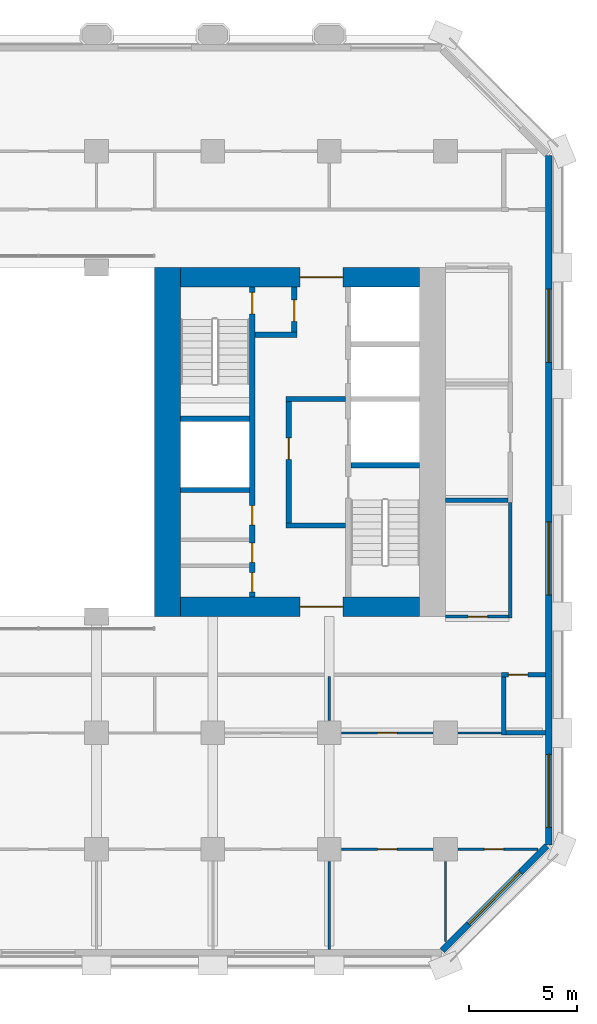
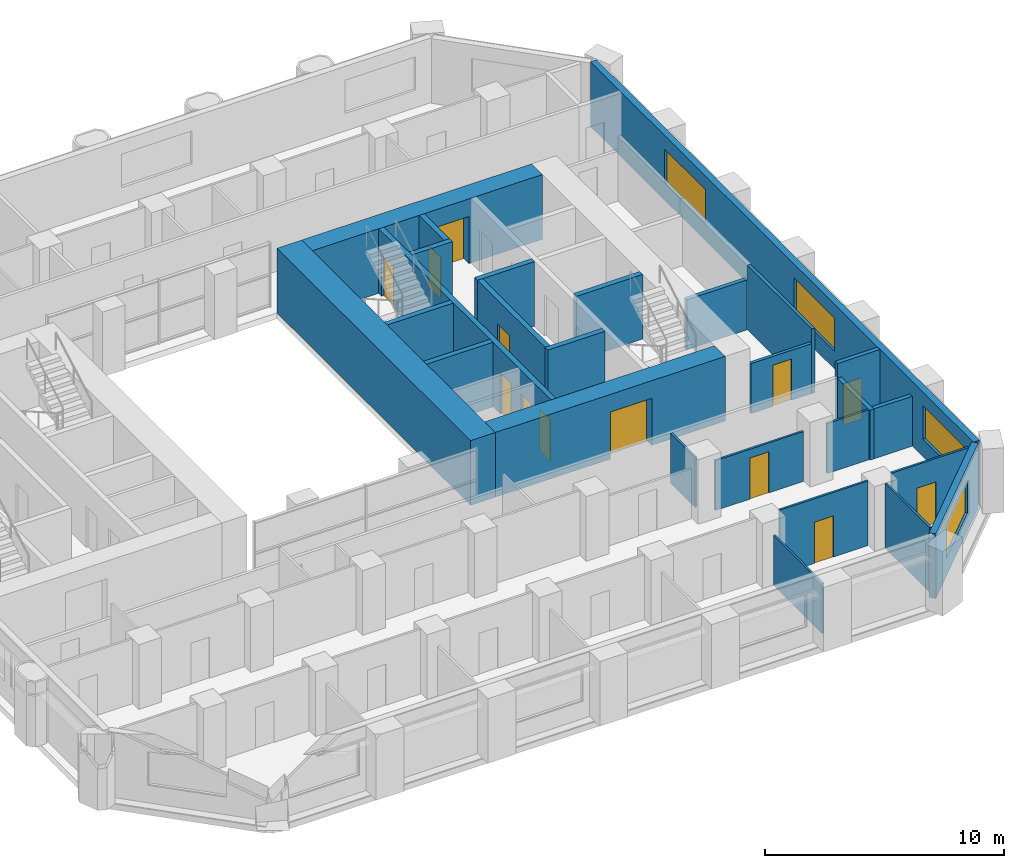
# One storey, part 9 of 13: 27 walls, 13 doors, 4 windows, 17 openings.
"""IFC4 building model written with IfcOpenShell, lengths in metres."""

from ifc_helpers import new_model, si_unit, direction, frame, frame_2d, origin, place, context, subcontext, project, spatial, rectangle, extrude, material, layer, layer_set, type_object, element, fill, save


model = new_model("IFC4")

# Units and contexts
model_context = context("Model", 3, precision=1e-05, world=origin(), true_north=direction((0.0, 1.0)))
body_context = subcontext(model_context, "Body", "Model", "MODEL_VIEW")
ifc_project = project(units=[si_unit("LENGTHUNIT", "METRE"), si_unit("AREAUNIT", "SQUARE_METRE"), si_unit("VOLUMEUNIT", "CUBIC_METRE"), si_unit("PLANEANGLEUNIT", "RADIAN"), si_unit("MASSUNIT", "GRAM", prefix="KILO")], contexts=[model_context])

# Site, building, storey
site_placement = place(None, origin())
site = spatial("IfcSite", under=ifc_project, at=site_placement, CompositionType="ELEMENT")
building_placement = place(site_placement, origin())
building = spatial("IfcBuilding", under=site, at=building_placement, Name="Tabaq Tower and Sports Hall", CompositionType="ELEMENT")
storey_placement = place(building_placement, frame((0.0, 0.0, 56.39990234375)))
storey = spatial("IfcBuildingStorey", under=building, at=storey_placement, Name="L12", CompositionType="ELEMENT", Elevation=56.39990234375)

# Wall
ifc_material_1 = material(Name="Concrete C60/75", Category="concrete")
ifc_layer_1 = layer(ifc_material_1, 1.199951171875)
ifc_layer_set_1 = layer_set([ifc_layer_1], Name="Core wall 1200 Concrete C60/75")
wall_type_1 = type_object("IfcWallType", Name="Core wall 1200 Concrete C60/75", PredefinedType="SOLIDWALL", material=ifc_layer_set_1)
wall_1_placement = place(storey_placement, frame((30.300048828125, 16.199951171875, 0.0), z_axis=(0.0, 0.0, 1.0), x_axis=(0.0, 1.0, 0.0)))
element("IfcWall", 1, at=wall_1_placement, inside=storey, type_object=wall_type_1, Name="Core wall E L12", PredefinedType="SOLIDWALL", context=body_context, shape_type="SweptSolid", body=[
    extrude(rectangle(XDim=16.199951171875, YDim=1.199951171875, at=frame_2d((8.10009765625, 0.0))), origin(), (0.0, 0.0, 1.0), 3.300048828125),
])

# Wall, opening, door
ifc_material_2 = material(Name="Concrete C60/75", Category="concrete")
ifc_layer_2 = layer(ifc_material_2, 0.89990234375)
ifc_layer_set_2 = layer_set([ifc_layer_2], Name="Core wall 900 Concrete C60/75")
wall_type_2 = type_object("IfcWallType", Name="Core wall 900 Concrete C60/75", PredefinedType="SOLIDWALL", material=ifc_layer_set_2)
wall_2_placement = place(storey_placement, frame((42.0, 16.64990234375, 0.0), z_axis=(0.0, 0.0, 1.0), x_axis=(-1.0, 0.0, 0.0)))
wall_2 = element("IfcWall", 2, at=wall_2_placement, inside=storey, type_object=wall_type_2, Name="Core wall E L12", PredefinedType="SOLIDWALL", context=body_context, shape_type="SweptSolid", body=[
    extrude(rectangle(XDim=11.10009765625, YDim=0.89990234375, at=frame_2d((5.550048828125, 0.0))), origin(), (0.0, 0.0, 1.0), 3.300048828125),
])
opening_1_placement = place(wall_2_placement, frame((3.550048828125, 0.0, 0.0)))
opening_1 = element("IfcOpeningElement", 3, at=opening_1_placement, cuts=wall_2, Name="Opening PD-EL12-01", PredefinedType="OPENING", context=body_context, shape_type="SweptSolid", body=[
    extrude(rectangle(XDim=2.0, YDim=2.39990234375, at=frame_2d((1.0, 1.199951171875))), frame((0.0, 0.449951171875, 0.0), z_axis=(0.0, -1.0, 0.0), x_axis=(1.0, 0.0, 0.0)), (0.0, 0.0, 1.0), 0.89990234375),
])
ifc_material_3 = material(Name="Steel fire door", Category="steel")
door_type_1 = type_object("IfcDoorType", Name="Core entrance door 2000", OperationType="DOUBLE_DOOR_SINGLE_SWING", PredefinedType="DOOR", material=ifc_material_3)
door_1_placement = place(opening_1_placement, origin())
door_1 = element("IfcDoor", 4, at=door_1_placement, inside=storey, type_object=door_type_1, Name="Core entrance south E L12", OperationType="DOUBLE_DOOR_SINGLE_SWING", OverallHeight=2.39990234375, OverallWidth=2.0, PredefinedType="DOOR", context=body_context, shape_type="SweptSolid", body=[
    extrude(rectangle(XDim=2.0, YDim=2.39990234375, at=frame_2d((1.0, 1.199951171875))), frame((0.0, 0.02490234375, 0.0), z_axis=(0.0, -1.0, 0.0), x_axis=(1.0, 0.0, 0.0)), (0.0, 0.0, 1.0), 0.050048828125),
])
fill(opening_1, door_1)

wall_3_placement = place(storey_placement, frame((30.89990234375, 31.949951171875, 0.0), z_axis=(0.0, 0.0, 1.0), x_axis=(1.0, 0.0, 0.0)))
wall_3 = element("IfcWall", 5, at=wall_3_placement, inside=storey, type_object=wall_type_2, Name="Core wall E L12", PredefinedType="SOLIDWALL", context=body_context, shape_type="SweptSolid", body=[
    extrude(rectangle(XDim=11.10009765625, YDim=0.89990234375, at=frame_2d((5.550048828125, 0.0))), origin(), (0.0, 0.0, 1.0), 3.300048828125),
])
opening_2_placement = place(wall_3_placement, frame((5.550048828125, 0.0, 0.0)))
opening_2 = element("IfcOpeningElement", 6, at=opening_2_placement, cuts=wall_3, Name="Opening PD-EL12-02", PredefinedType="OPENING", context=body_context, shape_type="SweptSolid", body=[
    extrude(rectangle(XDim=2.0, YDim=2.39990234375, at=frame_2d((1.0, 1.199951171875))), frame((0.0, 0.449951171875, 0.0), z_axis=(0.0, -1.0, 0.0), x_axis=(1.0, 0.0, 0.0)), (0.0, 0.0, 1.0), 0.89990234375),
])
door_2_placement = place(opening_2_placement, origin())
door_2 = element("IfcDoor", 7, at=door_2_placement, inside=storey, type_object=door_type_1, Name="Core entrance north E L12", OperationType="DOUBLE_DOOR_SINGLE_SWING", OverallHeight=2.39990234375, OverallWidth=2.0, PredefinedType="DOOR", context=body_context, shape_type="SweptSolid", body=[
    extrude(rectangle(XDim=2.0, YDim=2.39990234375, at=frame_2d((1.0, 1.199951171875))), frame((0.0, 0.02490234375, 0.0), z_axis=(0.0, -1.0, 0.0), x_axis=(1.0, 0.0, 0.0)), (0.0, 0.0, 1.0), 0.050048828125),
])
fill(opening_2, door_2)

ifc_material_4 = material(Name="Blockwork", Category="masonry")
ifc_layer_3 = layer(ifc_material_4, 0.199951171875)
ifc_layer_set_3 = layer_set([ifc_layer_3], Name="Fire compartment wall 200 Blockwork")
wall_type_3 = type_object("IfcWallType", Name="Fire compartment wall 200 Blockwork", PredefinedType="PARTITIONING", material=ifc_layer_set_3)
wall_4_placement = place(storey_placement, frame((45.800048828125, 13.5, 0.0), z_axis=(0.0, 0.0, 1.0), x_axis=(1.0, 0.0, 0.0)))
wall_4 = element("IfcWall", 8, at=wall_4_placement, inside=storey, type_object=wall_type_3, Name="Compartment wall L12", PredefinedType="PARTITIONING", context=body_context, shape_type="SweptSolid", body=[
    extrude(rectangle(XDim=2.049072265625, YDim=0.199951171875, at=frame_2d((1.0244140625, 0.0))), origin(), (0.0, 0.0, 1.0), 3.300048828125),
])
opening_3_placement = place(wall_4_placement, frame((0.320068359375, 0.0, 0.0)))
opening_3 = element("IfcOpeningElement", 9, at=opening_3_placement, cuts=wall_4, Name="Opening L12-007", PredefinedType="OPENING", context=body_context, shape_type="SweptSolid", body=[
    extrude(rectangle(XDim=0.89990234375, YDim=2.10009765625, at=frame_2d((0.449951171875, 1.050048828125))), frame((0.0, 0.10009765625, 0.0), z_axis=(0.0, -1.0, 0.0), x_axis=(1.0, 0.0, 0.0)), (0.0, 0.0, 1.0), 0.199951171875),
])
ifc_material_5 = material(Name="Steel fire door", Category="steel")
door_type_2 = type_object("IfcDoorType", Name="Plant room door 900 left hand", OperationType="SINGLE_SWING_LEFT", PredefinedType="DOOR", material=ifc_material_5)
door_3_placement = place(opening_3_placement, origin())
door_3 = element("IfcDoor", 10, at=door_3_placement, inside=storey, type_object=door_type_2, Name="Plant room door L12-007", OperationType="SINGLE_SWING_LEFT", OverallHeight=2.10009765625, OverallWidth=0.89990234375, PredefinedType="DOOR", context=body_context, shape_type="SweptSolid", body=[
    extrude(rectangle(XDim=0.89990234375, YDim=2.10009765625, at=frame_2d((0.449951171875, 1.050048828125))), frame((0.0, 0.02490234375, 0.0), z_axis=(0.0, -1.0, 0.0), x_axis=(1.0, 0.0, 0.0)), (0.0, 0.0, 1.0), 0.050048828125),
])
fill(opening_3, door_3)

# Walls
wall_5_placement = place(storey_placement, frame((45.89990234375, 10.699951171875, 0.0), z_axis=(0.0, 0.0, 1.0), x_axis=(0.0, 1.0, 0.0)))
element("IfcWall", 11, at=wall_5_placement, inside=storey, type_object=wall_type_3, Name="Compartment wall L12", PredefinedType="PARTITIONING", context=body_context, shape_type="SweptSolid", body=[
    extrude(rectangle(XDim=2.699951171875, YDim=0.199951171875, at=frame_2d((1.35009765625, 0.0))), origin(), (0.0, 0.0, 1.0), 2.550048828125),
])
wall_6_placement = place(storey_placement, frame((46.0, 10.800048828125, 0.0), z_axis=(0.0, 0.0, 1.0), x_axis=(1.0, 0.0, 0.0)))
element("IfcWall", 12, at=wall_6_placement, inside=storey, type_object=wall_type_3, Name="Compartment wall L12", PredefinedType="PARTITIONING", context=body_context, shape_type="SweptSolid", body=[
    extrude(rectangle(XDim=1.84912109375, YDim=0.199951171875, at=frame_2d((0.924560546875, 0.0))), origin(), (0.0, 0.0, 1.0), 2.550048828125),
])
wall_7_placement = place(storey_placement, frame((46.10009765625, 21.60009765625, 0.0), z_axis=(0.0, 0.0, 1.0), x_axis=(-1.0, 0.0, 0.0)))
element("IfcWall", 13, at=wall_7_placement, inside=storey, type_object=wall_type_3, Name="Compartment wall L12", PredefinedType="PARTITIONING", context=body_context, shape_type="SweptSolid", body=[
    extrude(rectangle(XDim=2.900146484375, YDim=0.199951171875, at=frame_2d((1.4501953125, 0.0))), origin(), (0.0, 0.0, 1.0), 2.550048828125),
])
ifc_material_6 = material(Name="Gypsum board on steel studs", Category="steel")
ifc_layer_4 = layer(ifc_material_6, 0.10009765625)
ifc_layer_set_4 = layer_set([ifc_layer_4], Name="Partition 100 Gypsum board")
wall_type_4 = type_object("IfcWallType", Name="Partition 100 Gypsum board", PredefinedType="PARTITIONING", material=ifc_layer_set_4)
wall_8_placement = place(storey_placement, frame((37.800048828125, 11.3701171875, 0.0), z_axis=(0.0, 0.0, 1.0), x_axis=(0.0, 1.0, 0.0)))
element("IfcWall", 14, at=wall_8_placement, inside=storey, type_object=wall_type_4, Name="Partition wall L12", PredefinedType="PARTITIONING", context=body_context, shape_type="SweptSolid", body=[
    extrude(rectangle(XDim=2.054931640625, YDim=0.10009765625, at=frame_2d((1.02734375, 0.0))), origin(), (0.0, 0.0, 1.0), 2.550048828125),
])

# Wall, opening, door
wall_9_placement = place(storey_placement, frame((38.3701171875, 10.800048828125, 0.0), z_axis=(0.0, 0.0, 1.0), x_axis=(1.0, 0.0, 0.0)))
wall_9 = element("IfcWall", 15, at=wall_9_placement, inside=storey, type_object=wall_type_4, Name="Partition wall L12", PredefinedType="PARTITIONING", context=body_context, shape_type="SweptSolid", body=[
    extrude(rectangle(XDim=4.259765625, YDim=0.10009765625, at=frame_2d((2.1298828125, 0.0))), origin(), (0.0, 0.0, 1.0), 2.550048828125),
])
opening_4_placement = place(wall_9_placement, frame((1.679931640625, 0.0, 0.0)))
opening_4 = element("IfcOpeningElement", 16, at=opening_4_placement, cuts=wall_9, Name="Opening L12-018", PredefinedType="OPENING", context=body_context, shape_type="SweptSolid", body=[
    extrude(rectangle(XDim=0.89990234375, YDim=2.10009765625, at=frame_2d((0.449951171875, 1.050048828125))), frame((0.0, 0.050048828125, 0.0), z_axis=(0.0, -1.0, 0.0), x_axis=(1.0, 0.0, 0.0)), (0.0, 0.0, 1.0), 0.10009765625),
])
ifc_material_7 = material(Name="Timber leaf in steel frame", Category="steel")
door_type_3 = type_object("IfcDoorType", Name="Internal door 900 left hand", OperationType="SINGLE_SWING_LEFT", PredefinedType="DOOR", material=ifc_material_7)
door_4_placement = place(opening_4_placement, origin())
door_4 = element("IfcDoor", 17, at=door_4_placement, inside=storey, type_object=door_type_3, Name="Internal door L12-018", OperationType="SINGLE_SWING_LEFT", OverallHeight=2.10009765625, OverallWidth=0.89990234375, PredefinedType="DOOR", context=body_context, shape_type="SweptSolid", body=[
    extrude(rectangle(XDim=0.89990234375, YDim=2.10009765625, at=frame_2d((0.449951171875, 1.050048828125))), frame((0.0, 0.02490234375, 0.0), z_axis=(0.0, -1.0, 0.0), x_axis=(1.0, 0.0, 0.0)), (0.0, 0.0, 1.0), 0.050048828125),
])
fill(opening_4, door_4)

# Wall
wall_10_placement = place(storey_placement, frame((43.77001953125, 10.800048828125, 0.0), z_axis=(0.0, 0.0, 1.0), x_axis=(1.0, 0.0, 0.0)))
element("IfcWall", 18, at=wall_10_placement, inside=storey, type_object=wall_type_4, Name="Partition wall L12", PredefinedType="PARTITIONING", context=body_context, shape_type="SweptSolid", body=[
    extrude(rectangle(XDim=2.030029296875, YDim=0.10009765625, at=frame_2d((1.01513671875, 0.0))), origin(), (0.0, 0.0, 1.0), 2.550048828125),
])

# Wall, opening, door
wall_11_placement = place(storey_placement, frame((38.3701171875, 5.39990234375, 0.0), z_axis=(0.0, 0.0, 1.0), x_axis=(1.0, 0.0, 0.0)))
wall_11 = element("IfcWall", 19, at=wall_11_placement, inside=storey, type_object=wall_type_4, Name="Partition wall L12", PredefinedType="PARTITIONING", context=body_context, shape_type="SweptSolid", body=[
    extrude(rectangle(XDim=4.259765625, YDim=0.10009765625, at=frame_2d((2.1298828125, 0.0))), origin(), (0.0, 0.0, 1.0), 3.300048828125),
])
opening_5_placement = place(wall_11_placement, frame((1.679931640625, 0.0, 0.0)))
opening_5 = element("IfcOpeningElement", 20, at=opening_5_placement, cuts=wall_11, Name="Opening L12-024", PredefinedType="OPENING", context=body_context, shape_type="SweptSolid", body=[
    extrude(rectangle(XDim=0.89990234375, YDim=2.10009765625, at=frame_2d((0.449951171875, 1.050048828125))), frame((0.0, 0.050048828125, 0.0), z_axis=(0.0, -1.0, 0.0), x_axis=(1.0, 0.0, 0.0)), (0.0, 0.0, 1.0), 0.10009765625),
])
door_5_placement = place(opening_5_placement, origin())
door_5 = element("IfcDoor", 21, at=door_5_placement, inside=storey, type_object=door_type_3, Name="Internal door L12-024", OperationType="SINGLE_SWING_LEFT", OverallHeight=2.10009765625, OverallWidth=0.89990234375, PredefinedType="DOOR", context=body_context, shape_type="SweptSolid", body=[
    extrude(rectangle(XDim=0.89990234375, YDim=2.10009765625, at=frame_2d((0.449951171875, 1.050048828125))), frame((0.0, 0.02490234375, 0.0), z_axis=(0.0, -1.0, 0.0), x_axis=(1.0, 0.0, 0.0)), (0.0, 0.0, 1.0), 0.050048828125),
])
fill(opening_5, door_5)

wall_12_placement = place(storey_placement, frame((43.77001953125, 5.39990234375, 0.0), z_axis=(0.0, 0.0, 1.0), x_axis=(1.0, 0.0, 0.0)))
wall_12 = element("IfcWall", 22, at=wall_12_placement, inside=storey, type_object=wall_type_4, Name="Partition wall L12", PredefinedType="PARTITIONING", context=body_context, shape_type="SweptSolid", body=[
    extrude(rectangle(XDim=3.7177734375, YDim=0.10009765625, at=frame_2d((1.85888671875, 0.0))), origin(), (0.0, 0.0, 1.0), 3.300048828125),
])
opening_6_placement = place(wall_12_placement, frame((1.22998046875, 0.0, 0.0)))
opening_6 = element("IfcOpeningElement", 23, at=opening_6_placement, cuts=wall_12, Name="Opening L12-025", PredefinedType="OPENING", context=body_context, shape_type="SweptSolid", body=[
    extrude(rectangle(XDim=0.89990234375, YDim=2.10009765625, at=frame_2d((0.449951171875, 1.050048828125))), frame((0.0, 0.050048828125, 0.0), z_axis=(0.0, -1.0, 0.0), x_axis=(1.0, 0.0, 0.0)), (0.0, 0.0, 1.0), 0.10009765625),
])
door_6_placement = place(opening_6_placement, origin())
door_6 = element("IfcDoor", 24, at=door_6_placement, inside=storey, type_object=door_type_3, Name="Internal door L12-025", OperationType="SINGLE_SWING_LEFT", OverallHeight=2.10009765625, OverallWidth=0.89990234375, PredefinedType="DOOR", context=body_context, shape_type="SweptSolid", body=[
    extrude(rectangle(XDim=0.89990234375, YDim=2.10009765625, at=frame_2d((0.449951171875, 1.050048828125))), frame((0.0, 0.02490234375, 0.0), z_axis=(0.0, -1.0, 0.0), x_axis=(1.0, 0.0, 0.0)), (0.0, 0.0, 1.0), 0.050048828125),
])
fill(opening_6, door_6)

# Walls
wall_13_placement = place(storey_placement, frame((37.800048828125, 0.7509765625, 0.0), z_axis=(0.0, 0.0, 1.0), x_axis=(0.0, 1.0, 0.0)))
element("IfcWall", 25, at=wall_13_placement, inside=storey, type_object=wall_type_4, Name="Partition wall L12", PredefinedType="PARTITIONING", context=body_context, shape_type="SweptSolid", body=[
    extrude(rectangle(XDim=4.0791015625, YDim=0.10009765625, at=frame_2d((2.03955078125, 0.0))), origin(), (0.0, 0.0, 1.0), 2.550048828125),
])
wall_14_placement = place(storey_placement, frame((43.199951171875, 1.112060546875, 0.0), z_axis=(0.0, 0.0, 1.0), x_axis=(0.0, 1.0, 0.0)))
element("IfcWall", 26, at=wall_14_placement, inside=storey, type_object=wall_type_4, Name="Partition wall L12", PredefinedType="PARTITIONING", context=body_context, shape_type="SweptSolid", body=[
    extrude(rectangle(XDim=3.718017578125, YDim=0.10009765625, at=frame_2d((1.85888671875, 0.0))), origin(), (0.0, 0.0, 1.0), 3.300048828125),
])
ifc_material_8 = material(Name="Blockwork", Category="masonry")
ifc_layer_5 = layer(ifc_material_8, 0.14990234375)
ifc_layer_set_5 = layer_set([ifc_layer_5], Name="Separating wall 150 Blockwork")
wall_type_5 = type_object("IfcWallType", Name="Separating wall 150 Blockwork", PredefinedType="PARTITIONING", material=ifc_layer_set_5)
wall_15_placement = place(storey_placement, frame((46.199951171875, 21.5, 0.0), z_axis=(0.0, 0.0, 1.0), x_axis=(0.0, -1.0, 0.0)))
element("IfcWall", 27, at=wall_15_placement, inside=storey, type_object=wall_type_5, Name="Separating wall L12", PredefinedType="PARTITIONING", context=body_context, shape_type="SweptSolid", body=[
    extrude(rectangle(XDim=5.375, YDim=0.14990234375, at=frame_2d((2.6875, 0.0))), origin(), (0.0, 0.0, 1.0), 3.300048828125),
])

# Wall, opening, door
wall_16_placement = place(storey_placement, frame((46.125, 16.199951171875, 0.0), z_axis=(0.0, 0.0, 1.0), x_axis=(-1.0, 0.0, 0.0)))
wall_16 = element("IfcWall", 28, at=wall_16_placement, inside=storey, type_object=wall_type_5, Name="Separating wall L12", PredefinedType="PARTITIONING", context=body_context, shape_type="SweptSolid", body=[
    extrude(rectangle(XDim=2.925048828125, YDim=0.14990234375, at=frame_2d((1.46240234375, 0.0))), origin(), (0.0, 0.0, 1.0), 2.550048828125),
])
opening_7_placement = place(wall_16_placement, frame((0.97509765625, 0.0, 0.0)))
opening_7 = element("IfcOpeningElement", 29, at=opening_7_placement, cuts=wall_16, Name="Opening L12-008", PredefinedType="OPENING", context=body_context, shape_type="SweptSolid", body=[
    extrude(rectangle(XDim=0.89990234375, YDim=2.10009765625, at=frame_2d((0.449951171875, 1.050048828125))), frame((0.0, 0.074951171875, 0.0), z_axis=(0.0, -1.0, 0.0), x_axis=(1.0, 0.0, 0.0)), (0.0, 0.0, 1.0), 0.14990234375),
])
door_7_placement = place(opening_7_placement, origin())
door_7 = element("IfcDoor", 30, at=door_7_placement, inside=storey, type_object=door_type_3, Name="Internal door L12-008", OperationType="SINGLE_SWING_LEFT", OverallHeight=2.10009765625, OverallWidth=0.89990234375, PredefinedType="DOOR", context=body_context, shape_type="SweptSolid", body=[
    extrude(rectangle(XDim=0.89990234375, YDim=2.10009765625, at=frame_2d((0.449951171875, 1.050048828125))), frame((0.0, 0.02490234375, 0.0), z_axis=(0.0, -1.0, 0.0), x_axis=(1.0, 0.0, 0.0)), (0.0, 0.0, 1.0), 0.050048828125),
])
fill(opening_7, door_7)

# Wall, openings, doors
ifc_material_9 = material(Name="Concrete C40/50", Category="concrete")
ifc_layer_6 = layer(ifc_material_9, 0.25)
ifc_layer_set_6 = layer_set([ifc_layer_6], Name="Shaft and stair wall 250 Concrete C40/50")
wall_type_6 = type_object("IfcWallType", Name="Shaft and stair wall 250 Concrete C40/50", PredefinedType="SOLIDWALL", material=ifc_layer_set_6)
wall_17_placement = place(storey_placement, frame((34.22509765625, 17.10009765625, 0.0), z_axis=(0.0, 0.0, 1.0), x_axis=(0.0, 1.0, 0.0)))
wall_17 = element("IfcWall", 31, at=wall_17_placement, inside=storey, type_object=wall_type_6, Name="Shaft wall E L12", PredefinedType="SOLIDWALL", context=body_context, shape_type="SweptSolid", body=[
    extrude(rectangle(XDim=14.39990234375, YDim=0.25, at=frame_2d((7.199951171875, 0.0))), origin(), (0.0, 0.0, 1.0), 3.300048828125),
])
opening_8_placement = place(wall_17_placement, frame((13.14990234375, 0.0, 0.0)))
opening_8 = element("IfcOpeningElement", 32, at=opening_8_placement, cuts=wall_17, Name="Opening SD-EL12-05", PredefinedType="OPENING", context=body_context, shape_type="SweptSolid", body=[
    extrude(rectangle(XDim=1.0, YDim=2.10009765625, at=frame_2d((0.5, 1.050048828125))), frame((0.0, 0.125, 0.0), z_axis=(0.0, -1.0, 0.0), x_axis=(1.0, 0.0, 0.0)), (0.0, 0.0, 1.0), 0.25),
])
opening_9_placement = place(wall_17_placement, frame((0.239990234375, 0.0, 0.0)))
opening_9 = element("IfcOpeningElement", 33, at=opening_9_placement, cuts=wall_17, Name="Opening RD-EL12-10", PredefinedType="OPENING", context=body_context, shape_type="SweptSolid", body=[
    extrude(rectangle(XDim=0.89990234375, YDim=2.10009765625, at=frame_2d((0.449951171875, 1.050048828125))), frame((0.0, 0.125, 0.0), z_axis=(0.0, -1.0, 0.0), x_axis=(1.0, 0.0, 0.0)), (0.0, 0.0, 1.0), 0.25),
])
opening_10_placement = place(wall_17_placement, frame((1.611083984375, 0.0, 0.0)))
opening_10 = element("IfcOpeningElement", 34, at=opening_10_placement, cuts=wall_17, Name="Opening RD-EL12-11", PredefinedType="OPENING", context=body_context, shape_type="SweptSolid", body=[
    extrude(rectangle(XDim=0.89990234375, YDim=2.10009765625, at=frame_2d((0.449951171875, 1.050048828125))), frame((0.0, 0.125, 0.0), z_axis=(0.0, -1.0, 0.0), x_axis=(1.0, 0.0, 0.0)), (0.0, 0.0, 1.0), 0.25),
])
opening_11_placement = place(wall_17_placement, frame((3.345947265625, 0.0, 0.0)))
opening_11 = element("IfcOpeningElement", 35, at=opening_11_placement, cuts=wall_17, Name="Opening RD-EL12-12", PredefinedType="OPENING", context=body_context, shape_type="SweptSolid", body=[
    extrude(rectangle(XDim=0.89990234375, YDim=2.10009765625, at=frame_2d((0.449951171875, 1.050048828125))), frame((0.0, 0.125, 0.0), z_axis=(0.0, -1.0, 0.0), x_axis=(1.0, 0.0, 0.0)), (0.0, 0.0, 1.0), 0.25),
])
ifc_material_10 = material(Name="Steel fire door", Category="steel")
door_type_4 = type_object("IfcDoorType", Name="Core room door 900", OperationType="SINGLE_SWING_LEFT", PredefinedType="DOOR", material=ifc_material_10)
door_8_placement = place(opening_9_placement, origin())
door_8 = element("IfcDoor", 36, at=door_8_placement, inside=storey, type_object=door_type_4, Name="Door Accessible WC E L12", OperationType="SINGLE_SWING_LEFT", OverallHeight=2.10009765625, OverallWidth=0.89990234375, PredefinedType="DOOR", context=body_context, shape_type="SweptSolid", body=[
    extrude(rectangle(XDim=0.89990234375, YDim=2.10009765625, at=frame_2d((0.449951171875, 1.050048828125))), frame((0.0, 0.02490234375, 0.0), z_axis=(0.0, -1.0, 0.0), x_axis=(1.0, 0.0, 0.0)), (0.0, 0.0, 1.0), 0.050048828125),
])
fill(opening_9, door_8)
door_9_placement = place(opening_10_placement, origin())
door_9 = element("IfcDoor", 37, at=door_9_placement, inside=storey, type_object=door_type_4, Name="Door Electrical Riser Room E L12", OperationType="SINGLE_SWING_LEFT", OverallHeight=2.10009765625, OverallWidth=0.89990234375, PredefinedType="DOOR", context=body_context, shape_type="SweptSolid", body=[
    extrude(rectangle(XDim=0.89990234375, YDim=2.10009765625, at=frame_2d((0.449951171875, 1.050048828125))), frame((0.0, 0.02490234375, 0.0), z_axis=(0.0, -1.0, 0.0), x_axis=(1.0, 0.0, 0.0)), (0.0, 0.0, 1.0), 0.050048828125),
])
fill(opening_10, door_9)
door_10_placement = place(opening_11_placement, origin())
door_10 = element("IfcDoor", 38, at=door_10_placement, inside=storey, type_object=door_type_4, Name="Door Unisex WC E L12", OperationType="SINGLE_SWING_LEFT", OverallHeight=2.10009765625, OverallWidth=0.89990234375, PredefinedType="DOOR", context=body_context, shape_type="SweptSolid", body=[
    extrude(rectangle(XDim=0.89990234375, YDim=2.10009765625, at=frame_2d((0.449951171875, 1.050048828125))), frame((0.0, 0.02490234375, 0.0), z_axis=(0.0, -1.0, 0.0), x_axis=(1.0, 0.0, 0.0)), (0.0, 0.0, 1.0), 0.050048828125),
])
fill(opening_11, door_10)
ifc_material_11 = material(Name="Steel fire door", Category="steel")
door_type_5 = type_object("IfcDoorType", Name="Stair door 1000", OperationType="SINGLE_SWING_LEFT", PredefinedType="DOOR", material=ifc_material_11)
door_11_placement = place(opening_8_placement, origin())
door_11 = element("IfcDoor", 39, at=door_11_placement, inside=storey, type_object=door_type_5, Name="Stair door ST4 E L12", OperationType="SINGLE_SWING_LEFT", OverallHeight=2.10009765625, OverallWidth=1.0, PredefinedType="DOOR", context=body_context, shape_type="SweptSolid", body=[
    extrude(rectangle(XDim=1.0, YDim=2.10009765625, at=frame_2d((0.5, 1.050048828125))), frame((0.0, 0.02490234375, 0.0), z_axis=(0.0, -1.0, 0.0), x_axis=(1.0, 0.0, 0.0)), (0.0, 0.0, 1.0), 0.050048828125),
])
fill(opening_8, door_11)

# Walls
wall_18_placement = place(storey_placement, frame((38.800048828125, 23.22509765625, 0.0), z_axis=(0.0, 0.0, 1.0), x_axis=(1.0, 0.0, 0.0)))
element("IfcWall", 40, at=wall_18_placement, inside=storey, type_object=wall_type_6, Name="Stair enclosure wall E L12", PredefinedType="SOLIDWALL", context=body_context, shape_type="SweptSolid", body=[
    extrude(rectangle(XDim=3.199951171875, YDim=0.25, at=frame_2d((1.60009765625, 0.0))), origin(), (0.0, 0.0, 1.0), 3.300048828125),
])
for number, where, z_axis, x_axis, name in (
    (41, (30.89990234375, 25.375, 0.0), (0.0, 0.0, 1.0), (1.0, 0.0, 0.0), "Stair enclosure wall E L12"),
    (42, (30.89990234375, 22.074951171875, 0.0), (0.0, 0.0, 1.0), (1.0, 0.0, 0.0), "Shaft wall E L12"),
):
    element("IfcWall", number, at=place(storey_placement, frame(where, z_axis=z_axis, x_axis=x_axis)), inside=storey, type_object=wall_type_6, Name=name, PredefinedType="SOLIDWALL", context=body_context, shape_type="SweptSolid", body=[
        extrude(rectangle(XDim=3.2001953125, YDim=0.25, at=frame_2d((1.60009765625, 0.0))), origin(), (0.0, 0.0, 1.0), 3.300048828125),
    ])
for number, where, z_axis, x_axis, name in (
    (43, (35.800048828125, 26.300048828125, 0.0), (0.0, 0.0, 1.0), (1.0, 0.0, 0.0), "Fire-fighting lobby wall E L12"),
    (44, (35.800048828125, 20.425048828125, 0.0), (0.0, 0.0, 1.0), (1.0, 0.0, 0.0), "Fire-fighting lobby wall E L12"),
):
    element("IfcWall", number, at=place(storey_placement, frame(where, z_axis=z_axis, x_axis=x_axis)), inside=storey, type_object=wall_type_6, Name=name, PredefinedType="SOLIDWALL", context=body_context, shape_type="SweptSolid", body=[
        extrude(rectangle(XDim=2.75, YDim=0.25, at=frame_2d((1.375, 0.0))), origin(), (0.0, 0.0, 1.0), 3.300048828125),
    ])

# Wall, opening, door
wall_19_placement = place(storey_placement, frame((36.175048828125, 29.39990234375, 0.0), z_axis=(0.0, 0.0, 1.0), x_axis=(0.0, 1.0, 0.0)))
wall_19 = element("IfcWall", 45, at=wall_19_placement, inside=storey, type_object=wall_type_6, Name="Fire-fighting lobby wall E L12", PredefinedType="SOLIDWALL", context=body_context, shape_type="SweptSolid", body=[
    extrude(rectangle(XDim=2.10009765625, YDim=0.25, at=frame_2d((1.050048828125, 0.0))), origin(), (0.0, 0.0, 1.0), 3.300048828125),
])
opening_12_placement = place(wall_19_placement, frame((0.5, 0.0, 0.0)))
opening_12 = element("IfcOpeningElement", 46, at=opening_12_placement, cuts=wall_19, Name="Opening FD-EL12-06", PredefinedType="OPENING", context=body_context, shape_type="SweptSolid", body=[
    extrude(rectangle(XDim=1.0, YDim=2.10009765625, at=frame_2d((0.5, 1.050048828125))), frame((0.0, 0.125, 0.0), z_axis=(0.0, -1.0, 0.0), x_axis=(1.0, 0.0, 0.0)), (0.0, 0.0, 1.0), 0.25),
])
ifc_material_12 = material(Name="Steel fire door", Category="steel")
door_type_6 = type_object("IfcDoorType", Name="Fire-fighting lobby door 1000", OperationType="SINGLE_SWING_LEFT", PredefinedType="DOOR", material=ifc_material_12)
door_12_placement = place(opening_12_placement, origin())
door_12 = element("IfcDoor", 47, at=door_12_placement, inside=storey, type_object=door_type_6, Name="Stair lobby door E L12", OperationType="SINGLE_SWING_LEFT", OverallHeight=2.10009765625, OverallWidth=1.0, PredefinedType="DOOR", context=body_context, shape_type="SweptSolid", body=[
    extrude(rectangle(XDim=1.0, YDim=2.10009765625, at=frame_2d((0.5, 1.050048828125))), frame((0.0, 0.02490234375, 0.0), z_axis=(0.0, -1.0, 0.0), x_axis=(1.0, 0.0, 0.0)), (0.0, 0.0, 1.0), 0.050048828125),
])
fill(opening_12, door_12)

# Wall
wall_20_placement = place(storey_placement, frame((34.35009765625, 29.27490234375, 0.0), z_axis=(0.0, 0.0, 1.0), x_axis=(1.0, 0.0, 0.0)))
element("IfcWall", 48, at=wall_20_placement, inside=storey, type_object=wall_type_6, Name="Fire-fighting lobby wall E L12", PredefinedType="SOLIDWALL", context=body_context, shape_type="SweptSolid", body=[
    extrude(rectangle(XDim=1.949951171875, YDim=0.25, at=frame_2d((0.97509765625, 0.0))), origin(), (0.0, 0.0, 1.0), 3.300048828125),
])

# Wall, opening, door
wall_21_placement = place(storey_placement, frame((35.925048828125, 20.550048828125, 0.0), z_axis=(0.0, 0.0, 1.0), x_axis=(0.0, 1.0, 0.0)))
wall_21 = element("IfcWall", 49, at=wall_21_placement, inside=storey, type_object=wall_type_6, Name="Fire-fighting lobby wall E L12", PredefinedType="SOLIDWALL", context=body_context, shape_type="SweptSolid", body=[
    extrude(rectangle(XDim=5.625, YDim=0.25, at=frame_2d((2.8125, 0.0))), origin(), (0.0, 0.0, 1.0), 3.300048828125),
])
opening_13_placement = place(wall_21_placement, frame((2.949951171875, 0.0, 0.0)))
opening_13 = element("IfcOpeningElement", 50, at=opening_13_placement, cuts=wall_21, Name="Opening FD-EL12-04", PredefinedType="OPENING", context=body_context, shape_type="SweptSolid", body=[
    extrude(rectangle(XDim=1.0, YDim=2.10009765625, at=frame_2d((0.5, 1.050048828125))), frame((0.0, 0.125, 0.0), z_axis=(0.0, -1.0, 0.0), x_axis=(1.0, 0.0, 0.0)), (0.0, 0.0, 1.0), 0.25),
])
door_13_placement = place(opening_13_placement, origin())
door_13 = element("IfcDoor", 51, at=door_13_placement, inside=storey, type_object=door_type_6, Name="Fire-fighting lobby door E L12", OperationType="SINGLE_SWING_LEFT", OverallHeight=2.10009765625, OverallWidth=1.0, PredefinedType="DOOR", context=body_context, shape_type="SweptSolid", body=[
    extrude(rectangle(XDim=1.0, YDim=2.10009765625, at=frame_2d((0.5, 1.050048828125))), frame((0.0, 0.02490234375, 0.0), z_axis=(0.0, -1.0, 0.0), x_axis=(1.0, 0.0, 0.0)), (0.0, 0.0, 1.0), 0.050048828125),
])
fill(opening_13, door_13)

# Wall, opening, window
ifc_material_13 = material(Name="White precast concrete C60/75", Category="concrete")
ifc_layer_7 = layer(ifc_material_13, 0.300048828125)
ifc_layer_set_7 = layer_set([ifc_layer_7], Name="White precast concrete C60/75 external wall 300")
wall_type_7 = type_object("IfcWallType", Name="White precast concrete C60/75 external wall 300", PredefinedType="SOLIDWALL", material=ifc_layer_set_7)
wall_22_placement = place(storey_placement, frame((43.050537109375, 0.698974609375, 0.0), z_axis=(0.0, 0.0, 1.0), x_axis=(0.707106781187, 0.707106781187, 0.0)))
wall_22 = element("IfcWall", 52, at=wall_22_placement, inside=storey, type_object=wall_type_7, Name="External Wall L12 SE", PredefinedType="SOLIDWALL", context=body_context, shape_type="SweptSolid", body=[
    extrude(rectangle(XDim=6.85986328125, YDim=0.300048828125, at=frame_2d((3.429931640625, 0.0))), origin(), (0.0, 0.0, 1.0), 3.300048828125),
])
opening_14_placement = place(wall_22_placement, frame((1.729736328125, 0.0, 0.89990234375)))
opening_14 = element("IfcOpeningElement", 53, at=opening_14_placement, cuts=wall_22, Name="Opening W1A", PredefinedType="OPENING", context=body_context, shape_type="SweptSolid", body=[
    extrude(rectangle(XDim=3.39990234375, YDim=1.699951171875, at=frame_2d((1.699951171875, 0.85009765625))), frame((0.0, 0.16015625, 0.0), z_axis=(0.0, -1.0, 0.0), x_axis=(1.0, 0.0, 0.0)), (0.0, 0.0, 1.0), 0.320068359375),
])
ifc_material_14 = material(Name="Aluminium framed clear glazing", Category="aluminium")
window_type = type_object("IfcWindowType", Name="Window W1A", PartitioningType="SINGLE_PANEL", PredefinedType="WINDOW", material=ifc_material_14)
window_1_placement = place(opening_14_placement, origin())
window_1 = element("IfcWindow", 54, at=window_1_placement, inside=storey, type_object=window_type, Name="Window W1A L12", OverallHeight=1.699951171875, OverallWidth=3.39990234375, PartitioningType="SINGLE_PANEL", PredefinedType="WINDOW", context=body_context, shape_type="SweptSolid", body=[
    extrude(rectangle(XDim=3.39990234375, YDim=1.699951171875, at=frame_2d((1.699951171875, 0.85009765625))), frame((0.0, 0.030029296875, 0.0), z_axis=(0.0, -1.0, 0.0), x_axis=(1.0, 0.0, 0.0)), (0.0, 0.0, 1.0), 0.06005859375),
])
fill(opening_14, window_1)

# Wall, openings, windows
wall_23_placement = place(storey_placement, frame((48.0, 5.58642578125, 0.0), z_axis=(0.0, 0.0, 1.0), x_axis=(0.0, 1.0, 0.0)))
wall_23 = element("IfcWall", 55, at=wall_23_placement, inside=storey, type_object=wall_type_7, Name="External Wall L12 E", PredefinedType="SOLIDWALL", context=body_context, shape_type="SweptSolid", body=[
    extrude(rectangle(XDim=32.027099609375, YDim=0.300048828125, at=frame_2d((16.013671875, 0.0))), origin(), (0.0, 0.0, 1.0), 3.300048828125),
])
opening_15_placement = place(wall_23_placement, frame((0.813720703125, 0.0, 0.89990234375)))
opening_15 = element("IfcOpeningElement", 56, at=opening_15_placement, cuts=wall_23, Name="Opening W1A", PredefinedType="OPENING", context=body_context, shape_type="SweptSolid", body=[
    extrude(rectangle(XDim=3.39990234375, YDim=1.699951171875, at=frame_2d((1.699951171875, 0.85009765625))), frame((0.0, 0.16015625, 0.0), z_axis=(0.0, -1.0, 0.0), x_axis=(1.0, 0.0, 0.0)), (0.0, 0.0, 1.0), 0.320068359375),
])
opening_16_placement = place(wall_23_placement, frame((11.613525390625, 0.0, 0.89990234375)))
opening_16 = element("IfcOpeningElement", 57, at=opening_16_placement, cuts=wall_23, Name="Opening W1A", PredefinedType="OPENING", context=body_context, shape_type="SweptSolid", body=[
    extrude(rectangle(XDim=3.39990234375, YDim=1.699951171875, at=frame_2d((1.699951171875, 0.85009765625))), frame((0.0, 0.16015625, 0.0), z_axis=(0.0, -1.0, 0.0), x_axis=(1.0, 0.0, 0.0)), (0.0, 0.0, 1.0), 0.320068359375),
])
opening_17_placement = place(wall_23_placement, frame((22.41357421875, 0.0, 0.89990234375)))
opening_17 = element("IfcOpeningElement", 58, at=opening_17_placement, cuts=wall_23, Name="Opening W1A", PredefinedType="OPENING", context=body_context, shape_type="SweptSolid", body=[
    extrude(rectangle(XDim=3.39990234375, YDim=1.699951171875, at=frame_2d((1.699951171875, 0.85009765625))), frame((0.0, 0.16015625, 0.0), z_axis=(0.0, -1.0, 0.0), x_axis=(1.0, 0.0, 0.0)), (0.0, 0.0, 1.0), 0.320068359375),
])
window_2_placement = place(opening_15_placement, origin())
window_2 = element("IfcWindow", 59, at=window_2_placement, inside=storey, type_object=window_type, Name="Window W1A L12", OverallHeight=1.699951171875, OverallWidth=3.39990234375, PartitioningType="SINGLE_PANEL", PredefinedType="WINDOW", context=body_context, shape_type="SweptSolid", body=[
    extrude(rectangle(XDim=3.39990234375, YDim=1.699951171875, at=frame_2d((1.699951171875, 0.85009765625))), frame((0.0, 0.030029296875, 0.0), z_axis=(0.0, -1.0, 0.0), x_axis=(1.0, 0.0, 0.0)), (0.0, 0.0, 1.0), 0.06005859375),
])
fill(opening_15, window_2)
window_3_placement = place(opening_16_placement, origin())
window_3 = element("IfcWindow", 60, at=window_3_placement, inside=storey, type_object=window_type, Name="Window W1A L12", OverallHeight=1.699951171875, OverallWidth=3.39990234375, PartitioningType="SINGLE_PANEL", PredefinedType="WINDOW", context=body_context, shape_type="SweptSolid", body=[
    extrude(rectangle(XDim=3.39990234375, YDim=1.699951171875, at=frame_2d((1.699951171875, 0.85009765625))), frame((0.0, 0.030029296875, 0.0), z_axis=(0.0, -1.0, 0.0), x_axis=(1.0, 0.0, 0.0)), (0.0, 0.0, 1.0), 0.06005859375),
])
fill(opening_16, window_3)
window_4_placement = place(opening_17_placement, origin())
window_4 = element("IfcWindow", 61, at=window_4_placement, inside=storey, type_object=window_type, Name="Window W1A L12", OverallHeight=1.699951171875, OverallWidth=3.39990234375, PartitioningType="SINGLE_PANEL", PredefinedType="WINDOW", context=body_context, shape_type="SweptSolid", body=[
    extrude(rectangle(XDim=3.39990234375, YDim=1.699951171875, at=frame_2d((1.699951171875, 0.85009765625))), frame((0.0, 0.030029296875, 0.0), z_axis=(0.0, -1.0, 0.0), x_axis=(1.0, 0.0, 0.0)), (0.0, 0.0, 1.0), 0.06005859375),
])
fill(opening_17, window_4)

save(model, "model.ifc")
